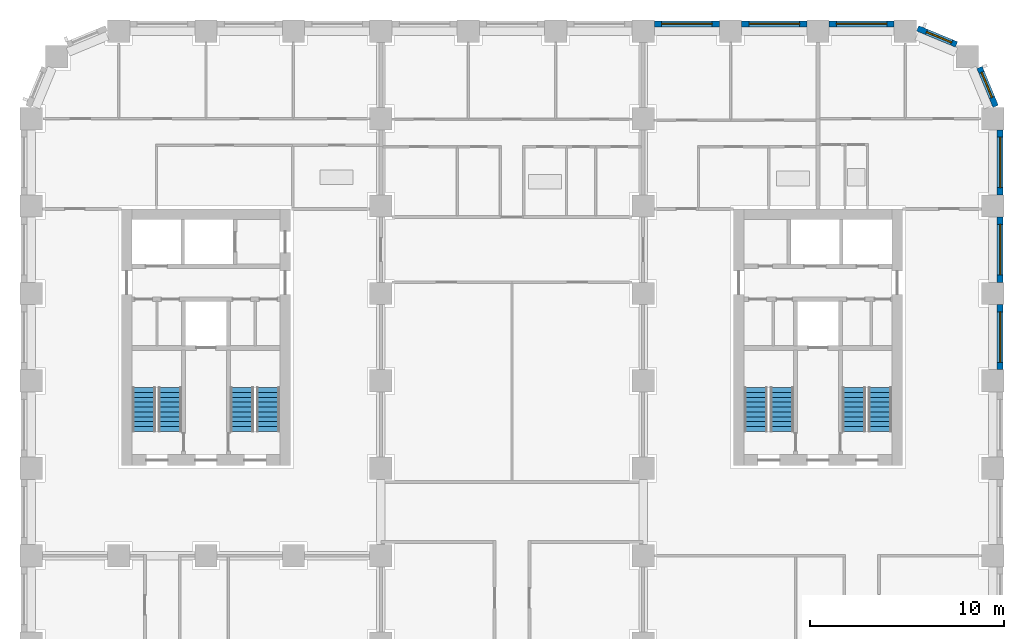
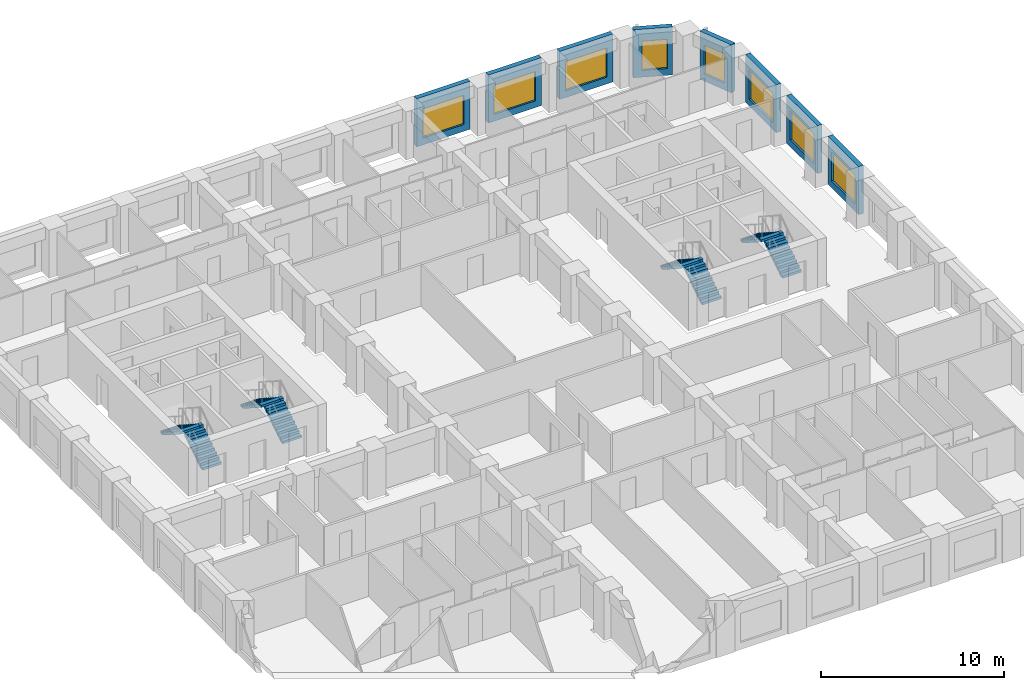
# One storey, part 10 of 13: 8 stair flights, 8 walls, 8 windows, 8 openings, 4 elements without a shape of their own.
"""IFC4 building model written with IfcOpenShell, lengths in metres."""

from ifc_helpers import new_model, si_unit, direction, frame, frame_2d, origin, place, context, subcontext, project, spatial, polyline, rectangle, outline, extrude, material, layer, layer_set, type_object, element, fill, aggregate, save


model = new_model("IFC4")

# Units and contexts
model_context = context("Model", 3, precision=1e-05, world=origin(), true_north=direction((0.0, 1.0)))
body_context = subcontext(model_context, "Body", "Model", "MODEL_VIEW")
ifc_project = project(units=[si_unit("LENGTHUNIT", "METRE"), si_unit("AREAUNIT", "SQUARE_METRE"), si_unit("VOLUMEUNIT", "CUBIC_METRE"), si_unit("PLANEANGLEUNIT", "RADIAN"), si_unit("MASSUNIT", "GRAM", prefix="KILO")], contexts=[model_context])

# Site, building, storey
site_placement = place(None, origin())
site = spatial("IfcSite", under=ifc_project, at=site_placement, CompositionType="ELEMENT")
building_placement = place(site_placement, origin())
building = spatial("IfcBuilding", under=site, at=building_placement, Name="Girih Gate Residences", CompositionType="ELEMENT")
storey_placement = place(building_placement, frame((0.0, 0.0, 80.0)))
storey = spatial("IfcBuildingStorey", under=building, at=storey_placement, Name="L21", CompositionType="ELEMENT", Elevation=80.0)

# Wall, opening, window
ifc_material_1 = material(Name="Precast concrete C50/60", Category="concrete")
ifc_layer_1 = layer(ifc_material_1, 0.080078125, Name="Outer leaf")
ifc_material_2 = material(Name="Rigid PIR insulation")
ifc_layer_2 = layer(ifc_material_2, 0.14990234375, Name="Insulation")
ifc_material_3 = material(Name="Precast concrete C40/50", Category="concrete")
ifc_layer_3 = layer(ifc_material_3, 0.070068359375, Name="Inner leaf")
ifc_layer_set = layer_set([ifc_layer_1, ifc_layer_2, ifc_layer_3], Name="Precast concrete C50/60 external wall 300")
wall_type = type_object("IfcWallType", Name="Precast concrete C50/60 external wall 300", PredefinedType="SOLIDWALL", material=ifc_layer_set)
wall_1_placement = place(storey_placement, frame((49.875, 35.425048828125, 0.0), z_axis=(0.0, 0.0, 1.0), x_axis=(0.0, -1.0, 0.0)))
wall_1 = element("IfcWall", 1, at=wall_1_placement, inside=storey, type_object=wall_type, Name="External wall E0495_0045.6", PredefinedType="SOLIDWALL", context=body_context, shape_type="SweptSolid", body=[
    extrude(rectangle(XDim=3.35009765625, YDim=0.300048828125, at=frame_2d((1.675048828125, 0.0))), origin(), (0.0, 0.0, 1.0), 3.199951171875),
])
opening_1_placement = place(wall_1_placement, frame((0.375, 0.0, 0.449951171875)))
opening_1 = element("IfcOpeningElement", 2, at=opening_1_placement, cuts=wall_1, Name="Opening W-1A", PredefinedType="OPENING", context=body_context, shape_type="SweptSolid", body=[
    extrude(rectangle(XDim=2.60009765625, YDim=1.949951171875, at=frame_2d((1.300048828125, 0.97509765625))), frame((0.0, 0.159912109375, 0.0), z_axis=(0.0, -1.0, 0.0), x_axis=(1.0, 0.0, 0.0)), (0.0, 0.0, 1.0), 0.320068359375),
])
ifc_material_4 = material(Name="Double glazing in aluminium frame", Category="aluminium")
window_type_1 = type_object("IfcWindowType", Name="Window W-1A 2600x1950", PartitioningType="SINGLE_PANEL", PredefinedType="WINDOW", material=ifc_material_4)
window_1_placement = place(opening_1_placement, origin())
window_1 = element("IfcWindow", 3, at=window_1_placement, inside=storey, type_object=window_type_1, Name="Window W-1A E0495_0045.6", OverallHeight=1.949951171875, OverallWidth=2.60009765625, PartitioningType="SINGLE_PANEL", PredefinedType="WINDOW", context=body_context, shape_type="SweptSolid", body=[
    extrude(rectangle(XDim=2.60009765625, YDim=1.949951171875, at=frame_2d((1.300048828125, 0.97509765625))), frame((0.0, 0.030029296875, 0.0), z_axis=(0.0, -1.0, 0.0), x_axis=(1.0, 0.0, 0.0)), (0.0, 0.0, 1.0), 0.06005859375),
])
fill(opening_1, window_1)

wall_2_placement = place(storey_placement, frame((49.875, 39.925048828125, 0.0), z_axis=(0.0, 0.0, 1.0), x_axis=(0.0, -1.0, 0.0)))
wall_2 = element("IfcWall", 4, at=wall_2_placement, inside=storey, type_object=wall_type, Name="External wall E0495_0045.7", PredefinedType="SOLIDWALL", context=body_context, shape_type="SweptSolid", body=[
    extrude(rectangle(XDim=3.35009765625, YDim=0.300048828125, at=frame_2d((1.675048828125, 0.0))), origin(), (0.0, 0.0, 1.0), 3.199951171875),
])
opening_2_placement = place(wall_2_placement, frame((0.375, 0.0, 0.449951171875)))
opening_2 = element("IfcOpeningElement", 5, at=opening_2_placement, cuts=wall_2, Name="Opening W-1A", PredefinedType="OPENING", context=body_context, shape_type="SweptSolid", body=[
    extrude(rectangle(XDim=2.60009765625, YDim=1.949951171875, at=frame_2d((1.300048828125, 0.97509765625))), frame((0.0, 0.159912109375, 0.0), z_axis=(0.0, -1.0, 0.0), x_axis=(1.0, 0.0, 0.0)), (0.0, 0.0, 1.0), 0.320068359375),
])
window_2_placement = place(opening_2_placement, origin())
window_2 = element("IfcWindow", 6, at=window_2_placement, inside=storey, type_object=window_type_1, Name="Window W-1A E0495_0045.7", OverallHeight=1.949951171875, OverallWidth=2.60009765625, PartitioningType="SINGLE_PANEL", PredefinedType="WINDOW", context=body_context, shape_type="SweptSolid", body=[
    extrude(rectangle(XDim=2.60009765625, YDim=1.949951171875, at=frame_2d((1.300048828125, 0.97509765625))), frame((0.0, 0.030029296875, 0.0), z_axis=(0.0, -1.0, 0.0), x_axis=(1.0, 0.0, 0.0)), (0.0, 0.0, 1.0), 0.06005859375),
])
fill(opening_2, window_2)

wall_3_placement = place(storey_placement, frame((49.875, 44.425048828125, 0.0), z_axis=(0.0, 0.0, 1.0), x_axis=(0.0, -1.0, 0.0)))
wall_3 = element("IfcWall", 7, at=wall_3_placement, inside=storey, type_object=wall_type, Name="External wall E0495_0045.8", PredefinedType="SOLIDWALL", context=body_context, shape_type="SweptSolid", body=[
    extrude(rectangle(XDim=3.35009765625, YDim=0.300048828125, at=frame_2d((1.675048828125, 0.0))), origin(), (0.0, 0.0, 1.0), 3.199951171875),
])
opening_3_placement = place(wall_3_placement, frame((0.375, 0.0, 0.449951171875)))
opening_3 = element("IfcOpeningElement", 8, at=opening_3_placement, cuts=wall_3, Name="Opening W-1A", PredefinedType="OPENING", context=body_context, shape_type="SweptSolid", body=[
    extrude(rectangle(XDim=2.60009765625, YDim=1.949951171875, at=frame_2d((1.300048828125, 0.97509765625))), frame((0.0, 0.159912109375, 0.0), z_axis=(0.0, -1.0, 0.0), x_axis=(1.0, 0.0, 0.0)), (0.0, 0.0, 1.0), 0.320068359375),
])
window_3_placement = place(opening_3_placement, origin())
window_3 = element("IfcWindow", 9, at=window_3_placement, inside=storey, type_object=window_type_1, Name="Window W-1A E0495_0045.8", OverallHeight=1.949951171875, OverallWidth=2.60009765625, PartitioningType="SINGLE_PANEL", PredefinedType="WINDOW", context=body_context, shape_type="SweptSolid", body=[
    extrude(rectangle(XDim=2.60009765625, YDim=1.949951171875, at=frame_2d((1.300048828125, 0.97509765625))), frame((0.0, 0.030029296875, 0.0), z_axis=(0.0, -1.0, 0.0), x_axis=(1.0, 0.0, 0.0)), (0.0, 0.0, 1.0), 0.06005859375),
])
fill(opening_3, window_3)

wall_4_placement = place(storey_placement, frame((48.81591796875, 47.63134765625, 0.0), z_axis=(0.0, 0.0, 1.0), x_axis=(0.382723818695, -0.923862802911, 0.0)))
wall_4 = element("IfcWall", 10, at=wall_4_placement, inside=storey, type_object=wall_type, Name="External wall NE0495_0450.0", PredefinedType="SOLIDWALL", context=body_context, shape_type="SweptSolid", body=[
    extrude(rectangle(XDim=2.163818359375, YDim=0.300048828125, at=frame_2d((1.08203125, 0.0))), origin(), (0.0, 0.0, 1.0), 3.199951171875),
])
opening_4_placement = place(wall_4_placement, frame((0.270751953125, 0.0, 0.449951171875)))
opening_4 = element("IfcOpeningElement", 11, at=opening_4_placement, cuts=wall_4, Name="Opening W-2D", PredefinedType="OPENING", context=body_context, shape_type="SweptSolid", body=[
    extrude(rectangle(XDim=1.39990234375, YDim=1.949951171875, at=frame_2d((0.699951171875, 0.97509765625))), frame((0.0, 0.159912109375, 0.0), z_axis=(0.0, -1.0, 0.0), x_axis=(1.0, 0.0, 0.0)), (0.0, 0.0, 1.0), 0.320068359375),
])
window_type_2 = type_object("IfcWindowType", Name="Window W-2D 1400x1950", PartitioningType="SINGLE_PANEL", PredefinedType="WINDOW", material=ifc_material_4)
window_4_placement = place(opening_4_placement, origin())
window_4 = element("IfcWindow", 12, at=window_4_placement, inside=storey, type_object=window_type_2, Name="Window W-2D NE0495_0450.0", OverallHeight=1.949951171875, OverallWidth=1.39990234375, PartitioningType="SINGLE_PANEL", PredefinedType="WINDOW", context=body_context, shape_type="SweptSolid", body=[
    extrude(rectangle(XDim=1.39990234375, YDim=1.949951171875, at=frame_2d((0.699951171875, 0.97509765625))), frame((0.0, 0.030029296875, 0.0), z_axis=(0.0, -1.0, 0.0), x_axis=(1.0, 0.0, 0.0)), (0.0, 0.0, 1.0), 0.06005859375),
])
fill(opening_4, window_4)

wall_5_placement = place(storey_placement, frame((45.63232421875, 49.64404296875, 0.0), z_axis=(0.0, 0.0, 1.0), x_axis=(0.923862802911, -0.382723818695, 0.0)))
wall_5 = element("IfcWall", 13, at=wall_5_placement, inside=storey, type_object=wall_type, Name="External wall NE0482_0482.0", PredefinedType="SOLIDWALL", context=body_context, shape_type="SweptSolid", body=[
    extrude(rectangle(XDim=2.163818359375, YDim=0.300048828125, at=frame_2d((1.08203125, 0.0))), origin(), (0.0, 0.0, 1.0), 3.199951171875),
])
opening_5_placement = place(wall_5_placement, frame((0.492919921875, 0.0, 0.449951171875)))
opening_5 = element("IfcOpeningElement", 14, at=opening_5_placement, cuts=wall_5, Name="Opening W-2D", PredefinedType="OPENING", context=body_context, shape_type="SweptSolid", body=[
    extrude(rectangle(XDim=1.39990234375, YDim=1.949951171875, at=frame_2d((0.699951171875, 0.97509765625))), frame((0.0, 0.159912109375, 0.0), z_axis=(0.0, -1.0, 0.0), x_axis=(1.0, 0.0, 0.0)), (0.0, 0.0, 1.0), 0.320068359375),
])
window_5_placement = place(opening_5_placement, origin())
window_5 = element("IfcWindow", 15, at=window_5_placement, inside=storey, type_object=window_type_2, Name="Window W-2D NE0482_0482.0", OverallHeight=1.949951171875, OverallWidth=1.39990234375, PartitioningType="SINGLE_PANEL", PredefinedType="WINDOW", context=body_context, shape_type="SweptSolid", body=[
    extrude(rectangle(XDim=1.39990234375, YDim=1.949951171875, at=frame_2d((0.699951171875, 0.97509765625))), frame((0.0, 0.030029296875, 0.0), z_axis=(0.0, -1.0, 0.0), x_axis=(1.0, 0.0, 0.0)), (0.0, 0.0, 1.0), 0.06005859375),
])
fill(opening_5, window_5)

wall_6_placement = place(storey_placement, frame((41.074951171875, 49.875, 0.0), z_axis=(0.0, 0.0, 1.0), x_axis=(1.0, 0.0, 0.0)))
wall_6 = element("IfcWall", 16, at=wall_6_placement, inside=storey, type_object=wall_type, Name="External wall N0450_0495.0", PredefinedType="SOLIDWALL", context=body_context, shape_type="SweptSolid", body=[
    extrude(rectangle(XDim=3.35009765625, YDim=0.300048828125, at=frame_2d((1.675048828125, 0.0))), origin(), (0.0, 0.0, 1.0), 3.199951171875),
])
opening_6_placement = place(wall_6_placement, frame((0.375, 0.0, 0.449951171875)))
opening_6 = element("IfcOpeningElement", 17, at=opening_6_placement, cuts=wall_6, Name="Opening W-1A", PredefinedType="OPENING", context=body_context, shape_type="SweptSolid", body=[
    extrude(rectangle(XDim=2.60009765625, YDim=1.949951171875, at=frame_2d((1.300048828125, 0.97509765625))), frame((0.0, 0.159912109375, 0.0), z_axis=(0.0, -1.0, 0.0), x_axis=(1.0, 0.0, 0.0)), (0.0, 0.0, 1.0), 0.320068359375),
])
window_6_placement = place(opening_6_placement, origin())
window_6 = element("IfcWindow", 18, at=window_6_placement, inside=storey, type_object=window_type_1, Name="Window W-1A N0450_0495.0", OverallHeight=1.949951171875, OverallWidth=2.60009765625, PartitioningType="SINGLE_PANEL", PredefinedType="WINDOW", context=body_context, shape_type="SweptSolid", body=[
    extrude(rectangle(XDim=2.60009765625, YDim=1.949951171875, at=frame_2d((1.300048828125, 0.97509765625))), frame((0.0, 0.030029296875, 0.0), z_axis=(0.0, -1.0, 0.0), x_axis=(1.0, 0.0, 0.0)), (0.0, 0.0, 1.0), 0.06005859375),
])
fill(opening_6, window_6)

wall_7_placement = place(storey_placement, frame((36.574951171875, 49.875, 0.0), z_axis=(0.0, 0.0, 1.0), x_axis=(1.0, 0.0, 0.0)))
wall_7 = element("IfcWall", 19, at=wall_7_placement, inside=storey, type_object=wall_type, Name="External wall N0450_0495.1", PredefinedType="SOLIDWALL", context=body_context, shape_type="SweptSolid", body=[
    extrude(rectangle(XDim=3.35009765625, YDim=0.300048828125, at=frame_2d((1.675048828125, 0.0))), origin(), (0.0, 0.0, 1.0), 3.199951171875),
])
opening_7_placement = place(wall_7_placement, frame((0.375, 0.0, 0.449951171875)))
opening_7 = element("IfcOpeningElement", 20, at=opening_7_placement, cuts=wall_7, Name="Opening W-1A", PredefinedType="OPENING", context=body_context, shape_type="SweptSolid", body=[
    extrude(rectangle(XDim=2.60009765625, YDim=1.949951171875, at=frame_2d((1.300048828125, 0.97509765625))), frame((0.0, 0.159912109375, 0.0), z_axis=(0.0, -1.0, 0.0), x_axis=(1.0, 0.0, 0.0)), (0.0, 0.0, 1.0), 0.320068359375),
])
window_7_placement = place(opening_7_placement, origin())
window_7 = element("IfcWindow", 21, at=window_7_placement, inside=storey, type_object=window_type_1, Name="Window W-1A N0450_0495.1", OverallHeight=1.949951171875, OverallWidth=2.60009765625, PartitioningType="SINGLE_PANEL", PredefinedType="WINDOW", context=body_context, shape_type="SweptSolid", body=[
    extrude(rectangle(XDim=2.60009765625, YDim=1.949951171875, at=frame_2d((1.300048828125, 0.97509765625))), frame((0.0, 0.030029296875, 0.0), z_axis=(0.0, -1.0, 0.0), x_axis=(1.0, 0.0, 0.0)), (0.0, 0.0, 1.0), 0.06005859375),
])
fill(opening_7, window_7)

wall_8_placement = place(storey_placement, frame((32.074951171875, 49.875, 0.0), z_axis=(0.0, 0.0, 1.0), x_axis=(1.0, 0.0, 0.0)))
wall_8 = element("IfcWall", 22, at=wall_8_placement, inside=storey, type_object=wall_type, Name="External wall N0450_0495.2", PredefinedType="SOLIDWALL", context=body_context, shape_type="SweptSolid", body=[
    extrude(rectangle(XDim=3.35009765625, YDim=0.300048828125, at=frame_2d((1.675048828125, 0.0))), origin(), (0.0, 0.0, 1.0), 3.199951171875),
])
opening_8_placement = place(wall_8_placement, frame((0.375, 0.0, 0.449951171875)))
opening_8 = element("IfcOpeningElement", 23, at=opening_8_placement, cuts=wall_8, Name="Opening W-1A", PredefinedType="OPENING", context=body_context, shape_type="SweptSolid", body=[
    extrude(rectangle(XDim=2.60009765625, YDim=1.949951171875, at=frame_2d((1.300048828125, 0.97509765625))), frame((0.0, 0.159912109375, 0.0), z_axis=(0.0, -1.0, 0.0), x_axis=(1.0, 0.0, 0.0)), (0.0, 0.0, 1.0), 0.320068359375),
])
window_8_placement = place(opening_8_placement, origin())
window_8 = element("IfcWindow", 24, at=window_8_placement, inside=storey, type_object=window_type_1, Name="Window W-1A N0450_0495.2", OverallHeight=1.949951171875, OverallWidth=2.60009765625, PartitioningType="SINGLE_PANEL", PredefinedType="WINDOW", context=body_context, shape_type="SweptSolid", body=[
    extrude(rectangle(XDim=2.60009765625, YDim=1.949951171875, at=frame_2d((1.300048828125, 0.97509765625))), frame((0.0, 0.030029296875, 0.0), z_axis=(0.0, -1.0, 0.0), x_axis=(1.0, 0.0, 0.0)), (0.0, 0.0, 1.0), 0.06005859375),
])
fill(opening_8, window_8)

# Stair, stair flights
ifc_material_5 = material(Name="Concrete C40/50", Category="concrete")
stair_type = type_object("IfcStairType", Name="Exit stair", PredefinedType="HALF_TURN_STAIR", material=ifc_material_5)
stair_1_placement = place(storey_placement, origin())
stair_1 = element("IfcStair", 25, at=stair_1_placement, inside=storey, type_object=stair_type, Name="L21 Exit Stair ST-W1", PredefinedType="HALF_TURN_STAIR")
stair_flight_type = type_object("IfcStairFlightType", Name="Stair flight 1200", PredefinedType="STRAIGHT", material=ifc_material_5)
stair_flight_1_placement = place(storey_placement, frame((7.14990234375, 28.89990234375, 0.0), z_axis=(0.0, 0.0, 1.0), x_axis=(0.0, 1.0, 0.0)))
stair_flight_1 = element("IfcStairFlight", 26, at=stair_flight_1_placement, type_object=stair_flight_type, Name="ST-W1 flight 1", NumberOfRisers=10, NumberOfTreads=9, PredefinedType="STRAIGHT", RiserHeight=0.16, TreadLength=0.25, context=body_context, shape_type="SweptSolid", body=[
    extrude(outline(polyline([(0.0, 0.0), (0.0, 0.159912109375), (0.25, 0.159912109375), (0.25, 0.320068359375), (0.5, 0.320068359375), (0.5, 0.47998046875), (0.75, 0.47998046875), (0.75, 0.639892578125), (1.0, 0.639892578125), (1.0, 0.800048828125), (1.25, 0.800048828125), (1.25, 0.9599609375), (1.5, 0.9599609375), (1.5, 1.1201171875), (1.75, 1.1201171875), (1.75, 1.280029296875), (2.0, 1.280029296875), (2.0, 1.43994140625), (2.25, 1.43994140625), (2.25, 1.60009765625), (2.25, 1.29736328125), (0.222900390625, 0.0), (0.0, 0.0)])), frame((0.0, 0.60009765625, 0.0), z_axis=(0.0, -1.0, 0.0), x_axis=(1.0, 0.0, 0.0)), (0.0, 0.0, 1.0), 1.199951171875),
])
stair_flight_2_placement = place(storey_placement, frame((5.800048828125, 31.14990234375, 1.60009765625), z_axis=(0.0, 0.0, 1.0), x_axis=(0.0, -1.0, 0.0)))
stair_flight_2 = element("IfcStairFlight", 27, at=stair_flight_2_placement, type_object=stair_flight_type, Name="ST-W1 flight 2", NumberOfRisers=10, NumberOfTreads=9, PredefinedType="STRAIGHT", RiserHeight=0.16, TreadLength=0.25, context=body_context, shape_type="SweptSolid", body=[
    extrude(outline(polyline([(0.0, 0.0), (0.0, 0.159912109375), (0.25, 0.159912109375), (0.25, 0.320068359375), (0.5, 0.320068359375), (0.5, 0.47998046875), (0.75, 0.47998046875), (0.75, 0.639892578125), (1.0, 0.639892578125), (1.0, 0.800048828125), (1.25, 0.800048828125), (1.25, 0.9599609375), (1.5, 0.9599609375), (1.5, 1.1201171875), (1.75, 1.1201171875), (1.75, 1.280029296875), (2.0, 1.280029296875), (2.0, 1.43994140625), (2.25, 1.43994140625), (2.25, 1.60009765625), (2.25, 1.29736328125), (0.222900390625, 0.0), (0.0, 0.0)])), frame((0.0, 0.60009765625, 0.0), z_axis=(0.0, -1.0, 0.0), x_axis=(1.0, 0.0, 0.0)), (0.0, 0.0, 1.0), 1.199951171875),
])
aggregate(stair_1, [stair_flight_1, stair_flight_2])

stair_2_placement = place(storey_placement, origin())
stair_2 = element("IfcStair", 28, at=stair_2_placement, inside=storey, type_object=stair_type, Name="L21 Exit Stair ST-W2", PredefinedType="HALF_TURN_STAIR")
stair_flight_3_placement = place(storey_placement, frame((12.199951171875, 28.89990234375, 0.0), z_axis=(0.0, 0.0, 1.0), x_axis=(0.0, 1.0, 0.0)))
stair_flight_3 = element("IfcStairFlight", 29, at=stair_flight_3_placement, type_object=stair_flight_type, Name="ST-W2 flight 1", NumberOfRisers=10, NumberOfTreads=9, PredefinedType="STRAIGHT", RiserHeight=0.16, TreadLength=0.25, context=body_context, shape_type="SweptSolid", body=[
    extrude(outline(polyline([(0.0, 0.0), (0.0, 0.159912109375), (0.25, 0.159912109375), (0.25, 0.320068359375), (0.5, 0.320068359375), (0.5, 0.47998046875), (0.75, 0.47998046875), (0.75, 0.639892578125), (1.0, 0.639892578125), (1.0, 0.800048828125), (1.25, 0.800048828125), (1.25, 0.9599609375), (1.5, 0.9599609375), (1.5, 1.1201171875), (1.75, 1.1201171875), (1.75, 1.280029296875), (2.0, 1.280029296875), (2.0, 1.43994140625), (2.25, 1.43994140625), (2.25, 1.60009765625), (2.25, 1.29736328125), (0.222900390625, 0.0), (0.0, 0.0)])), frame((0.0, 0.60009765625, 0.0), z_axis=(0.0, -1.0, 0.0), x_axis=(1.0, 0.0, 0.0)), (0.0, 0.0, 1.0), 1.199951171875),
])
stair_flight_4_placement = place(storey_placement, frame((10.85009765625, 31.14990234375, 1.60009765625), z_axis=(0.0, 0.0, 1.0), x_axis=(0.0, -1.0, 0.0)))
stair_flight_4 = element("IfcStairFlight", 30, at=stair_flight_4_placement, type_object=stair_flight_type, Name="ST-W2 flight 2", NumberOfRisers=10, NumberOfTreads=9, PredefinedType="STRAIGHT", RiserHeight=0.16, TreadLength=0.25, context=body_context, shape_type="SweptSolid", body=[
    extrude(outline(polyline([(0.0, 0.0), (0.0, 0.159912109375), (0.25, 0.159912109375), (0.25, 0.320068359375), (0.5, 0.320068359375), (0.5, 0.47998046875), (0.75, 0.47998046875), (0.75, 0.639892578125), (1.0, 0.639892578125), (1.0, 0.800048828125), (1.25, 0.800048828125), (1.25, 0.9599609375), (1.5, 0.9599609375), (1.5, 1.1201171875), (1.75, 1.1201171875), (1.75, 1.280029296875), (2.0, 1.280029296875), (2.0, 1.43994140625), (2.25, 1.43994140625), (2.25, 1.60009765625), (2.25, 1.29736328125), (0.222900390625, 0.0), (0.0, 0.0)])), frame((0.0, 0.60009765625, 0.0), z_axis=(0.0, -1.0, 0.0), x_axis=(1.0, 0.0, 0.0)), (0.0, 0.0, 1.0), 1.199951171875),
])
aggregate(stair_2, [stair_flight_3, stair_flight_4])

stair_3_placement = place(storey_placement, origin())
stair_3 = element("IfcStair", 31, at=stair_3_placement, inside=storey, type_object=stair_type, Name="L21 Exit Stair ST-E1", PredefinedType="HALF_TURN_STAIR")
stair_flight_5_placement = place(storey_placement, frame((43.699951171875, 28.89990234375, 0.0), z_axis=(0.0, 0.0, 1.0), x_axis=(0.0, 1.0, 0.0)))
stair_flight_5 = element("IfcStairFlight", 32, at=stair_flight_5_placement, type_object=stair_flight_type, Name="ST-E1 flight 1", NumberOfRisers=10, NumberOfTreads=9, PredefinedType="STRAIGHT", RiserHeight=0.16, TreadLength=0.25, context=body_context, shape_type="SweptSolid", body=[
    extrude(outline(polyline([(0.0, 0.0), (0.0, 0.159912109375), (0.25, 0.159912109375), (0.25, 0.320068359375), (0.5, 0.320068359375), (0.5, 0.47998046875), (0.75, 0.47998046875), (0.75, 0.639892578125), (1.0, 0.639892578125), (1.0, 0.800048828125), (1.25, 0.800048828125), (1.25, 0.9599609375), (1.5, 0.9599609375), (1.5, 1.1201171875), (1.75, 1.1201171875), (1.75, 1.280029296875), (2.0, 1.280029296875), (2.0, 1.43994140625), (2.25, 1.43994140625), (2.25, 1.60009765625), (2.25, 1.29736328125), (0.222900390625, 0.0), (0.0, 0.0)])), frame((0.0, 0.60009765625, 0.0), z_axis=(0.0, -1.0, 0.0), x_axis=(1.0, 0.0, 0.0)), (0.0, 0.0, 1.0), 1.199951171875),
])
stair_flight_6_placement = place(storey_placement, frame((42.35009765625, 31.14990234375, 1.60009765625), z_axis=(0.0, 0.0, 1.0), x_axis=(0.0, -1.0, 0.0)))
stair_flight_6 = element("IfcStairFlight", 33, at=stair_flight_6_placement, type_object=stair_flight_type, Name="ST-E1 flight 2", NumberOfRisers=10, NumberOfTreads=9, PredefinedType="STRAIGHT", RiserHeight=0.16, TreadLength=0.25, context=body_context, shape_type="SweptSolid", body=[
    extrude(outline(polyline([(0.0, 0.0), (0.0, 0.159912109375), (0.25, 0.159912109375), (0.25, 0.320068359375), (0.5, 0.320068359375), (0.5, 0.47998046875), (0.75, 0.47998046875), (0.75, 0.639892578125), (1.0, 0.639892578125), (1.0, 0.800048828125), (1.25, 0.800048828125), (1.25, 0.9599609375), (1.5, 0.9599609375), (1.5, 1.1201171875), (1.75, 1.1201171875), (1.75, 1.280029296875), (2.0, 1.280029296875), (2.0, 1.43994140625), (2.25, 1.43994140625), (2.25, 1.60009765625), (2.25, 1.29736328125), (0.222900390625, 0.0), (0.0, 0.0)])), frame((0.0, 0.60009765625, 0.0), z_axis=(0.0, -1.0, 0.0), x_axis=(1.0, 0.0, 0.0)), (0.0, 0.0, 1.0), 1.199951171875),
])
aggregate(stair_3, [stair_flight_5, stair_flight_6])

stair_4_placement = place(storey_placement, origin())
stair_4 = element("IfcStair", 34, at=stair_4_placement, inside=storey, type_object=stair_type, Name="L21 Exit Stair ST-E2", PredefinedType="HALF_TURN_STAIR")
stair_flight_7_placement = place(storey_placement, frame((38.64990234375, 28.89990234375, 0.0), z_axis=(0.0, 0.0, 1.0), x_axis=(0.0, 1.0, 0.0)))
stair_flight_7 = element("IfcStairFlight", 35, at=stair_flight_7_placement, type_object=stair_flight_type, Name="ST-E2 flight 1", NumberOfRisers=10, NumberOfTreads=9, PredefinedType="STRAIGHT", RiserHeight=0.16, TreadLength=0.25, context=body_context, shape_type="SweptSolid", body=[
    extrude(outline(polyline([(0.0, 0.0), (0.0, 0.159912109375), (0.25, 0.159912109375), (0.25, 0.320068359375), (0.5, 0.320068359375), (0.5, 0.47998046875), (0.75, 0.47998046875), (0.75, 0.639892578125), (1.0, 0.639892578125), (1.0, 0.800048828125), (1.25, 0.800048828125), (1.25, 0.9599609375), (1.5, 0.9599609375), (1.5, 1.1201171875), (1.75, 1.1201171875), (1.75, 1.280029296875), (2.0, 1.280029296875), (2.0, 1.43994140625), (2.25, 1.43994140625), (2.25, 1.60009765625), (2.25, 1.29736328125), (0.222900390625, 0.0), (0.0, 0.0)])), frame((0.0, 0.60009765625, 0.0), z_axis=(0.0, -1.0, 0.0), x_axis=(1.0, 0.0, 0.0)), (0.0, 0.0, 1.0), 1.199951171875),
])
stair_flight_8_placement = place(storey_placement, frame((37.300048828125, 31.14990234375, 1.60009765625), z_axis=(0.0, 0.0, 1.0), x_axis=(0.0, -1.0, 0.0)))
stair_flight_8 = element("IfcStairFlight", 36, at=stair_flight_8_placement, type_object=stair_flight_type, Name="ST-E2 flight 2", NumberOfRisers=10, NumberOfTreads=9, PredefinedType="STRAIGHT", RiserHeight=0.16, TreadLength=0.25, context=body_context, shape_type="SweptSolid", body=[
    extrude(outline(polyline([(0.0, 0.0), (0.0, 0.159912109375), (0.25, 0.159912109375), (0.25, 0.320068359375), (0.5, 0.320068359375), (0.5, 0.47998046875), (0.75, 0.47998046875), (0.75, 0.639892578125), (1.0, 0.639892578125), (1.0, 0.800048828125), (1.25, 0.800048828125), (1.25, 0.9599609375), (1.5, 0.9599609375), (1.5, 1.1201171875), (1.75, 1.1201171875), (1.75, 1.280029296875), (2.0, 1.280029296875), (2.0, 1.43994140625), (2.25, 1.43994140625), (2.25, 1.60009765625), (2.25, 1.29736328125), (0.222900390625, 0.0), (0.0, 0.0)])), frame((0.0, 0.60009765625, 0.0), z_axis=(0.0, -1.0, 0.0), x_axis=(1.0, 0.0, 0.0)), (0.0, 0.0, 1.0), 1.199951171875),
])
aggregate(stair_4, [stair_flight_7, stair_flight_8])

save(model, "model.ifc")
